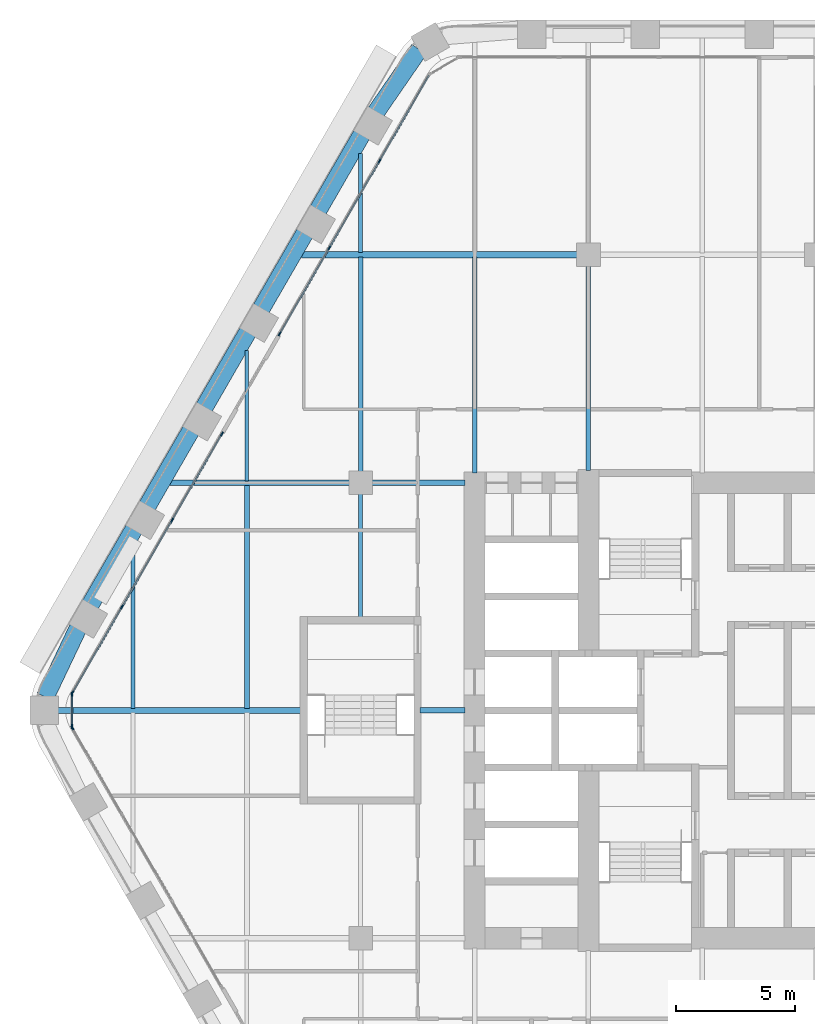
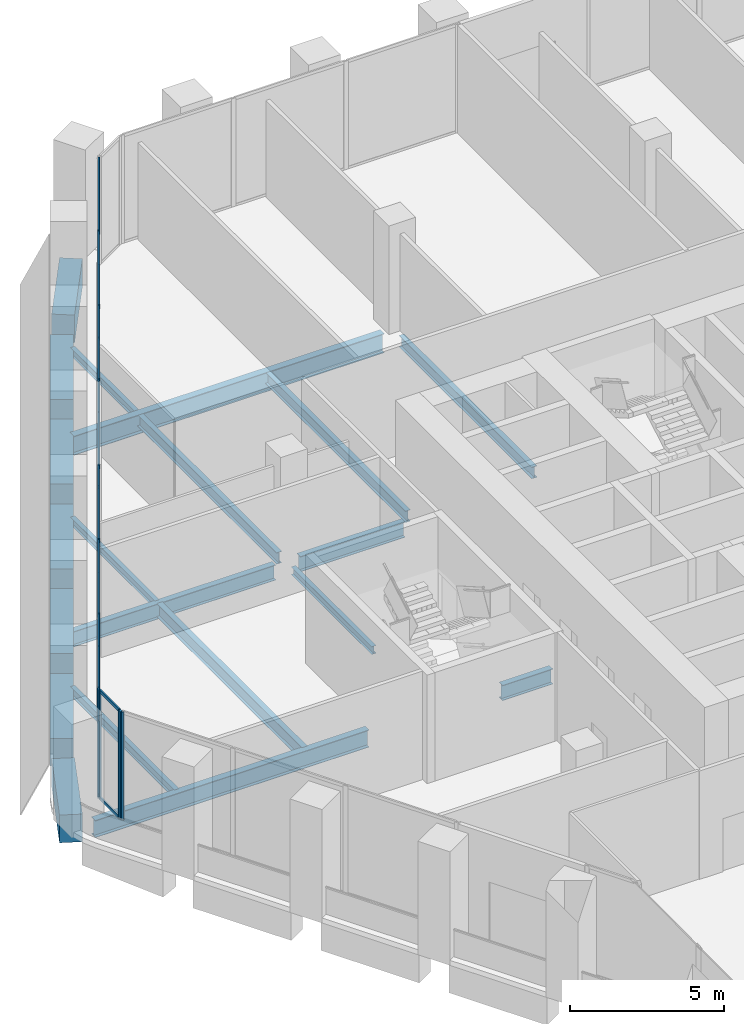
# One storey, part 7 of 25: 24 members, 20 beams, 4 elements without a shape of their own.
"""IFC4 building model written with IfcOpenShell, lengths in metres."""

from ifc_helpers import new_model, si_unit, direction, frame, origin, origin_2d, place, context, subcontext, project, spatial, rectangle, i_section, extrude, material, material_profile, profile_set, type_object, element, aggregate, save


model = new_model("IFC4")

# Units and contexts
model_context = context("Model", 3, precision=1e-05, world=origin(), true_north=direction((0.0, 1.0)))
body_context = subcontext(model_context, "Body", "Model", "MODEL_VIEW")
ifc_project = project(units=[si_unit("LENGTHUNIT", "METRE"), si_unit("AREAUNIT", "SQUARE_METRE"), si_unit("VOLUMEUNIT", "CUBIC_METRE"), si_unit("PLANEANGLEUNIT", "RADIAN"), si_unit("MASSUNIT", "GRAM", prefix="KILO")], contexts=[model_context])

# Site, building, storey
site_placement = place(None, origin())
site = spatial("IfcSite", under=ifc_project, at=site_placement, CompositionType="ELEMENT")
building_placement = place(site_placement, origin())
building = spatial("IfcBuilding", under=site, at=building_placement, Name="Kolab Exchange Tower", CompositionType="ELEMENT")
storey_placement = place(building_placement, frame((0.0, 0.0, 91.39990234375)))
storey = spatial("IfcBuildingStorey", under=building, at=storey_placement, Name="L17", CompositionType="ELEMENT", Elevation=91.39990234375)

# Beams
ifc_material_1 = material(Name="Steel S355", Category="steel")
ifc_material_profile_1 = material_profile(ifc_material_1, i_section(OverallWidth=0.1650390625, OverallDepth=0.31005859375, WebThickness=0.005859375, FlangeThickness=0.009765625, at=origin_2d()), Name="W310X39")
ifc_profile_set_1 = profile_set([ifc_material_profile_1], Name="Steel S355")
beam_type_1 = type_object("IfcBeamType", Name="FLOOR BEAM W310X39", PredefinedType="BEAM", material=ifc_profile_set_1)
beam_1_placement = place(storey_placement, frame((-24.0, 9.674072265625, -0.35498046875), z_axis=(0.0, 1.0, 0.0), x_axis=(-1.0, 0.0, 0.0)))
element("IfcBeam", 1, at=beam_1_placement, inside=storey, type_object=beam_type_1, Name="beam/L17/fr/005", PredefinedType="BEAM", context=body_context, shape_type="SweptSolid", body=[
    extrude(i_section(OverallWidth=0.1650390625, OverallDepth=0.31005859375, WebThickness=0.005859375, FlangeThickness=0.009765625, at=origin_2d()), origin(), (0.0, 0.0, 1.0), 5.49365234375),
])
beam_2_placement = place(storey_placement, frame((-19.199951171875, 3.909912109375, -0.35498046875), z_axis=(0.0, 1.0, 0.0), x_axis=(-1.0, 0.0, 0.0)))
element("IfcBeam", 2, at=beam_2_placement, inside=storey, type_object=beam_type_1, Name="beam/L17/fr/009", PredefinedType="BEAM", context=body_context, shape_type="SweptSolid", body=[
    extrude(i_section(OverallWidth=0.1650390625, OverallDepth=0.31005859375, WebThickness=0.005859375, FlangeThickness=0.009765625, at=origin_2d()), origin(), (0.0, 0.0, 1.0), 5.22998046875),
])
beam_3_placement = place(storey_placement, frame((-19.199951171875, 19.29345703125, -0.35498046875), z_axis=(0.0, 1.0, 0.0), x_axis=(-1.0, 0.0, 0.0)))
element("IfcBeam", 3, at=beam_3_placement, inside=storey, type_object=beam_type_1, Name="beam/L17/fr/011", PredefinedType="BEAM", context=body_context, shape_type="SweptSolid", body=[
    extrude(i_section(OverallWidth=0.1650390625, OverallDepth=0.31005859375, WebThickness=0.005859375, FlangeThickness=0.009765625, at=origin_2d()), origin(), (0.0, 0.0, 1.0), 4.18798828125),
])
ifc_material_profile_2 = material_profile(ifc_material_1, i_section(OverallWidth=0.1708984375, OverallDepth=0.35498046875, WebThickness=0.007080078125, FlangeThickness=0.01171875, at=origin_2d()), Name="W360X51")
ifc_profile_set_2 = profile_set([ifc_material_profile_2], Name="Steel S355")
beam_type_2 = type_object("IfcBeamType", Name="FLOOR BEAM W360X51", PredefinedType="BEAM", material=ifc_profile_set_2)
beam_4_placement = place(storey_placement, frame((-28.800048828125, 0.0869140625, -0.37744140625), z_axis=(0.0, 1.0, 0.0), x_axis=(-1.0, 0.0, 0.0)))
element("IfcBeam", 4, at=beam_4_placement, inside=storey, type_object=beam_type_2, Name="beam/L17/fr/001", PredefinedType="BEAM", context=body_context, shape_type="SweptSolid", body=[
    extrude(i_section(OverallWidth=0.1708984375, OverallDepth=0.35498046875, WebThickness=0.007080078125, FlangeThickness=0.01171875, at=origin_2d()), origin(), (0.0, 0.0, 1.0), 6.766845703125),
])
ifc_material_profile_3 = material_profile(ifc_material_1, i_section(OverallWidth=0.18994140625, OverallDepth=0.45703125, WebThickness=0.009033203125, FlangeThickness=0.014404296875, at=origin_2d()), Name="W460X74")
ifc_profile_set_3 = profile_set([ifc_material_profile_3], Name="Steel S355")
beam_type_3 = type_object("IfcBeamType", Name="FLOOR BEAM W460X74", PredefinedType="BEAM", material=ifc_profile_set_3)
beam_5_placement = place(storey_placement, frame((-19.199951171875, 10.06005859375, -0.428466796875), z_axis=(0.0, 1.0, 0.0), x_axis=(-1.0, 0.0, 0.0)))
element("IfcBeam", 5, at=beam_5_placement, inside=storey, type_object=beam_type_3, Name="beam/L17/fr/010", PredefinedType="BEAM", context=body_context, shape_type="SweptSolid", body=[
    extrude(i_section(OverallWidth=0.18994140625, OverallDepth=0.45703125, WebThickness=0.009033203125, FlangeThickness=0.014404296875, at=origin_2d()), origin(), (0.0, 0.0, 1.0), 9.04638671875),
])
beam_6_placement = place(storey_placement, frame((-14.39990234375, 10.010009765625, -0.428466796875), z_axis=(0.0, 1.0, 0.0), x_axis=(-1.0, 0.0, 0.0)))
element("IfcBeam", 6, at=beam_6_placement, inside=storey, type_object=beam_type_3, Name="beam/L17/fr/014", PredefinedType="BEAM", context=body_context, shape_type="SweptSolid", body=[
    extrude(i_section(OverallWidth=0.18994140625, OverallDepth=0.45703125, WebThickness=0.009033203125, FlangeThickness=0.014404296875, at=origin_2d()), origin(), (0.0, 0.0, 1.0), 9.096435546875),
])
beam_7_placement = place(storey_placement, frame((-9.60009765625, 10.110107421875, -0.428466796875), z_axis=(0.0, 1.0, 0.0), x_axis=(-1.0, 0.0, 0.0)))
element("IfcBeam", 7, at=beam_7_placement, inside=storey, type_object=beam_type_3, Name="beam/L17/fr/018", PredefinedType="BEAM", context=body_context, shape_type="SweptSolid", body=[
    extrude(i_section(OverallWidth=0.18994140625, OverallDepth=0.45703125, WebThickness=0.009033203125, FlangeThickness=0.014404296875, at=origin_2d()), origin(), (0.0, 0.0, 1.0), 8.6298828125),
])
ifc_material_profile_4 = material_profile(ifc_material_1, i_section(OverallWidth=0.208984375, OverallDepth=0.532958984375, WebThickness=0.01025390625, FlangeThickness=0.015625, at=origin_2d()), Name="W530X92")
ifc_profile_set_4 = profile_set([ifc_material_profile_4], Name="Steel S355")
beam_type_4 = type_object("IfcBeamType", Name="FLOOR BEAM W530X92", PredefinedType="BEAM", material=ifc_profile_set_4)
beam_8_placement = place(storey_placement, frame((-24.0, 0.0869140625, -0.46630859375), z_axis=(0.0, 1.0, 0.0), x_axis=(-1.0, 0.0, 0.0)))
element("IfcBeam", 8, at=beam_8_placement, inside=storey, type_object=beam_type_4, Name="beam/L17/fr/004", PredefinedType="BEAM", context=body_context, shape_type="SweptSolid", body=[
    extrude(i_section(OverallWidth=0.208984375, OverallDepth=0.532958984375, WebThickness=0.01025390625, FlangeThickness=0.015625, at=origin_2d()), origin(), (0.0, 0.0, 1.0), 9.43896484375),
])
ifc_material_profile_5 = material_profile(ifc_material_1, i_section(OverallWidth=0.22802734375, OverallDepth=0.60791015625, WebThickness=0.01123046875, FlangeThickness=0.017333984375, at=origin_2d()), Name="W610X113")
ifc_profile_set_5 = profile_set([ifc_material_profile_5], Name="Steel S355")
beam_type_5 = type_object("IfcBeamType", Name="FLOOR GIRDER W610X113", PredefinedType="BEAM", material=ifc_profile_set_5)
beam_9_placement = place(storey_placement, frame((-27.2314453125, 9.60009765625, -0.50390625), z_axis=(1.0, 0.0, 0.0), x_axis=(0.0, 1.0, 0.0)))
element("IfcBeam", 9, at=beam_9_placement, inside=storey, type_object=beam_type_5, Name="beam/L17/gd/002", PredefinedType="BEAM", context=body_context, shape_type="SweptSolid", body=[
    extrude(i_section(OverallWidth=0.22802734375, OverallDepth=0.60791015625, WebThickness=0.01123046875, FlangeThickness=0.017333984375, at=origin_2d()), origin(), (0.0, 0.0, 1.0), 7.571533203125),
])
beam_10_placement = place(storey_placement, frame((-18.739990234375, 9.60009765625, -0.50390625), z_axis=(1.0, 0.0, 0.0), x_axis=(0.0, 1.0, 0.0)))
element("IfcBeam", 10, at=beam_10_placement, inside=storey, type_object=beam_type_5, Name="beam/L17/gd/006", PredefinedType="BEAM", context=body_context, shape_type="SweptSolid", body=[
    extrude(i_section(OverallWidth=0.22802734375, OverallDepth=0.60791015625, WebThickness=0.01123046875, FlangeThickness=0.017333984375, at=origin_2d()), origin(), (0.0, 0.0, 1.0), 3.929931640625),
])
beam_11_placement = place(storey_placement, frame((-16.68994140625, 0.0, -0.50390625), z_axis=(1.0, 0.0, 0.0), x_axis=(0.0, 1.0, 0.0)))
element("IfcBeam", 11, at=beam_11_placement, inside=storey, type_object=beam_type_5, Name="beam/L17/gd/007", PredefinedType="BEAM", context=body_context, shape_type="SweptSolid", body=[
    extrude(i_section(OverallWidth=0.22802734375, OverallDepth=0.60791015625, WebThickness=0.01123046875, FlangeThickness=0.017333984375, at=origin_2d()), origin(), (0.0, 0.0, 1.0), 1.8798828125),
])
ifc_material_profile_6 = material_profile(ifc_material_1, i_section(OverallWidth=0.25390625, OverallDepth=0.68408203125, WebThickness=0.012451171875, FlangeThickness=0.018798828125, at=origin_2d()), Name="W690X140")
ifc_profile_set_6 = profile_set([ifc_material_profile_6], Name="Steel S355")
beam_type_6 = type_object("IfcBeamType", Name="FLOOR GIRDER W690X140", PredefinedType="BEAM", material=ifc_profile_set_6)
beam_12_placement = place(storey_placement, frame((-31.975830078125, 0.0, -0.5419921875), z_axis=(1.0, 0.0, 0.0), x_axis=(0.0, 1.0, 0.0)))
element("IfcBeam", 12, at=beam_12_placement, inside=storey, type_object=beam_type_6, Name="beam/L17/gd/000", PredefinedType="BEAM", context=body_context, shape_type="SweptSolid", body=[
    extrude(i_section(OverallWidth=0.25390625, OverallDepth=0.68408203125, WebThickness=0.012451171875, FlangeThickness=0.018798828125, at=origin_2d()), origin(), (0.0, 0.0, 1.0), 10.265869140625),
])
ifc_material_profile_7 = material_profile(ifc_material_1, i_section(OverallWidth=0.26708984375, OverallDepth=0.761962890625, WebThickness=0.014404296875, FlangeThickness=0.021484375, at=origin_2d()), Name="W760X173")
ifc_profile_set_7 = profile_set([ifc_material_profile_7], Name="Steel S355")
beam_type_7 = type_object("IfcBeamType", Name="FLOOR GIRDER W760X173", PredefinedType="BEAM", material=ifc_profile_set_7)
beam_13_placement = place(storey_placement, frame((-21.688720703125, 19.199951171875, -0.580810546875), z_axis=(1.0, 0.0, 0.0), x_axis=(0.0, 1.0, 0.0)))
element("IfcBeam", 13, at=beam_13_placement, inside=storey, type_object=beam_type_7, Name="beam/L17/gd/004", PredefinedType="BEAM", context=body_context, shape_type="SweptSolid", body=[
    extrude(i_section(OverallWidth=0.26708984375, OverallDepth=0.761962890625, WebThickness=0.014404296875, FlangeThickness=0.021484375, at=origin_2d()), origin(), (0.0, 0.0, 1.0), 11.628662109375),
])
ifc_material_2 = material(Name="Concrete C70/85", Category="concrete")
ifc_material_profile_8 = material_profile(ifc_material_2, rectangle(XDim=0.75, YDim=1.10009765625, at=origin_2d()), Name="RC750X1100")
ifc_profile_set_8 = profile_set([ifc_material_profile_8], Name="Concrete C70/85")
beam_type_8 = type_object("IfcBeamType", Name="SPANDREL BEAM 750X1100 C70/85", PredefinedType="BEAM", material=ifc_profile_set_8)
beam_14_placement = place(storey_placement, frame((-32.492919921875, 0.56396484375, -0.75), z_axis=(0.429041292193, 0.903284877319, 0.0), x_axis=(-0.903284877319, 0.429041292193, 0.0)))
element("IfcBeam", 14, at=beam_14_placement, inside=storey, type_object=beam_type_8, Name="beam/L17/sp/F6-01", PredefinedType="BEAM", context=body_context, shape_type="SweptSolid", body=[
    extrude(rectangle(XDim=0.75, YDim=1.10009765625, at=origin_2d()), origin(), (0.0, 0.0, 1.0), 3.208251953125),
])
for number, where, z_axis, x_axis, name in (
    (15, (-30.59521484375, 4.454345703125, -0.75), (0.500013413428, 0.866017659399, 0.0), (-0.866017659399, 0.500013413428, 0.0), "beam/L17/sp/F6-02"),
    (16, (-28.1953125, 8.611328125, -0.75), (0.500013413428, 0.866017659399, 0.0), (-0.866017659399, 0.500013413428, 0.0), "beam/L17/sp/F6-03"),
):
    element("IfcBeam", number, at=place(storey_placement, frame(where, z_axis=z_axis, x_axis=x_axis)), inside=storey, type_object=beam_type_8, Name=name, PredefinedType="BEAM", context=body_context, shape_type="SweptSolid", body=[
        extrude(rectangle(XDim=0.75, YDim=1.10009765625, at=origin_2d()), origin(), (0.0, 0.0, 1.0), 3.68017578125),
    ])
beam_15_placement = place(storey_placement, frame((-25.795166015625, 12.768310546875, -0.75), z_axis=(0.499963655964, 0.866046386007, 0.0), x_axis=(-0.866046386007, 0.499963655964, 0.0)))
element("IfcBeam", 17, at=beam_15_placement, inside=storey, type_object=beam_type_8, Name="beam/L17/sp/F6-04", PredefinedType="BEAM", context=body_context, shape_type="SweptSolid", body=[
    extrude(rectangle(XDim=0.75, YDim=1.10009765625, at=origin_2d()), origin(), (0.0, 0.0, 1.0), 3.679931640625),
])
for number, where, z_axis, x_axis, name in (
    (18, (-23.395263671875, 16.925048828125, -0.75), (0.500013413428, 0.866017659399, 0.0), (-0.866017659399, 0.500013413428, 0.0), "beam/L17/sp/F6-05"),
    (19, (-20.995361328125, 21.08203125, -0.75), (0.500013413428, 0.866017659399, 0.0), (-0.866017659399, 0.500013413428, 0.0), "beam/L17/sp/F6-06"),
):
    element("IfcBeam", number, at=place(storey_placement, frame(where, z_axis=z_axis, x_axis=x_axis)), inside=storey, type_object=beam_type_8, Name=name, PredefinedType="BEAM", context=body_context, shape_type="SweptSolid", body=[
        extrude(rectangle(XDim=0.75, YDim=1.10009765625, at=origin_2d()), origin(), (0.0, 0.0, 1.0), 3.68017578125),
    ])
beam_16_placement = place(storey_placement, frame((-18.55615234375, 25.216552734375, -0.75), z_axis=(0.567661826262, 0.823261836237, 0.0), x_axis=(-0.823261836237, 0.567661826262, 0.0)))
element("IfcBeam", 20, at=beam_16_placement, inside=storey, type_object=beam_type_8, Name="beam/L17/sp/F6-07", PredefinedType="BEAM", context=body_context, shape_type="SweptSolid", body=[
    extrude(rectangle(XDim=0.75, YDim=1.10009765625, at=origin_2d()), origin(), (0.0, 0.0, 1.0), 3.20849609375),
])

# Curtain wall, member
ifc_material_3 = material(Name="Aluminium EN AW-6063 T6", Category="aluminium")
curtain_wall_type = type_object("IfcCurtainWallType", Name="UNITISED LOWER MID ZONE CURTAIN WALL", PredefinedType="NOTDEFINED", material=ifc_material_3)
curtain_wall_1_placement = place(storey_placement, origin())
curtain_wall_1 = element("IfcCurtainWall", 21, at=curtain_wall_1_placement, inside=storey, type_object=curtain_wall_type, Name="cw/L17/F5-2", PredefinedType="NOTDEFINED")
ifc_material_profile_9 = material_profile(ifc_material_3, rectangle(XDim=0.06005859375, YDim=0.179931640625, at=origin_2d()), Name="RECT 60X180")
ifc_profile_set_9 = profile_set([ifc_material_profile_9], Name="Aluminium EN AW-6063 T6")
member_type_1 = type_object("IfcMemberType", Name="UNITISED LOWER MID ZONE MULLION 60 X 180", PredefinedType="MULLION", material=ifc_profile_set_9)
member_1_placement = place(storey_placement, frame((-31.3505859375, -0.736083984375, 0.0), z_axis=(0.0, 0.0, 1.0), x_axis=(-0.866025427826, -0.499999958358, 0.0)))
member_1 = element("IfcMember", 22, at=member_1_placement, type_object=member_type_1, Name="CW2 mullion 4", PredefinedType="MULLION", context=body_context, shape_type="SweptSolid", body=[
    extrude(rectangle(XDim=0.06005859375, YDim=0.179931640625, at=origin_2d()), origin(), (0.0, 0.0, 1.0), 4.300048828125),
])
aggregate(curtain_wall_1, [member_1])

# Curtain wall, members
curtain_wall_2_placement = place(storey_placement, origin())
curtain_wall_2 = element("IfcCurtainWall", 23, at=curtain_wall_2_placement, inside=storey, type_object=curtain_wall_type, Name="cw/L17/F6-1", PredefinedType="NOTDEFINED")
member_2_placement = place(storey_placement, frame((-31.3505859375, 0.736083984375, 0.0), z_axis=(0.0, 0.0, 1.0), x_axis=(-0.866025427826, 0.499999958358, 0.0)))
member_2 = element("IfcMember", 24, at=member_2_placement, type_object=member_type_1, Name="CW2 mullion 1", PredefinedType="MULLION", context=body_context, shape_type="SweptSolid", body=[
    extrude(rectangle(XDim=0.06005859375, YDim=0.179931640625, at=origin_2d()), origin(), (0.0, 0.0, 1.0), 4.300048828125),
])
member_3_placement = place(storey_placement, frame((-29.25439453125, 4.366943359375, 0.0), z_axis=(0.0, 0.0, 1.0), x_axis=(-0.866025427826, 0.499999958358, 0.0)))
member_3 = element("IfcMember", 25, at=member_3_placement, type_object=member_type_1, Name="CW2 mullion 2", PredefinedType="MULLION", context=body_context, shape_type="SweptSolid", body=[
    extrude(rectangle(XDim=0.06005859375, YDim=0.179931640625, at=origin_2d()), origin(), (0.0, 0.0, 1.0), 4.300048828125),
])
member_4_placement = place(storey_placement, frame((-27.14306640625, 8.02392578125, 0.0), z_axis=(0.0, 0.0, 1.0), x_axis=(-0.866025427826, 0.499999958358, 0.0)))
member_4 = element("IfcMember", 26, at=member_4_placement, type_object=member_type_1, Name="CW2 mullion 3", PredefinedType="MULLION", context=body_context, shape_type="SweptSolid", body=[
    extrude(rectangle(XDim=0.06005859375, YDim=0.179931640625, at=origin_2d()), origin(), (0.0, 0.0, 1.0), 4.300048828125),
])
member_5_placement = place(storey_placement, frame((-25.046630859375, 11.65478515625, 0.0), z_axis=(0.0, 0.0, 1.0), x_axis=(-0.866025427826, 0.499999958358, 0.0)))
member_5 = element("IfcMember", 27, at=member_5_placement, type_object=member_type_1, Name="CW2 mullion 4", PredefinedType="MULLION", context=body_context, shape_type="SweptSolid", body=[
    extrude(rectangle(XDim=0.06005859375, YDim=0.179931640625, at=origin_2d()), origin(), (0.0, 0.0, 1.0), 4.300048828125),
])

curtain_wall_3_placement = place(storey_placement, origin())
curtain_wall_3 = element("IfcCurtainWall", 28, at=curtain_wall_3_placement, inside=storey, type_object=curtain_wall_type, Name="cw/L17/F6-2", PredefinedType="NOTDEFINED")
member_6_placement = place(storey_placement, frame((-22.61669921875, 15.86376953125, 0.0), z_axis=(0.0, 0.0, 1.0), x_axis=(-0.866025393644, 0.500000017564, 0.0)))
member_6 = element("IfcMember", 29, at=member_6_placement, type_object=member_type_1, Name="CW2 mullion 1", PredefinedType="MULLION", context=body_context, shape_type="SweptSolid", body=[
    extrude(rectangle(XDim=0.06005859375, YDim=0.179931640625, at=origin_2d()), origin(), (0.0, 0.0, 1.0), 4.300048828125),
])
member_7_placement = place(storey_placement, frame((-20.520263671875, 19.49462890625, 0.0), z_axis=(0.0, 0.0, 1.0), x_axis=(-0.866025393644, 0.500000017564, 0.0)))
member_7 = element("IfcMember", 30, at=member_7_placement, type_object=member_type_1, Name="CW2 mullion 2", PredefinedType="MULLION", context=body_context, shape_type="SweptSolid", body=[
    extrude(rectangle(XDim=0.06005859375, YDim=0.179931640625, at=origin_2d()), origin(), (0.0, 0.0, 1.0), 4.300048828125),
])
member_8_placement = place(storey_placement, frame((-18.408935546875, 23.151611328125, 0.0), z_axis=(0.0, 0.0, 1.0), x_axis=(-0.866025393644, 0.500000017564, 0.0)))
member_8 = element("IfcMember", 31, at=member_8_placement, type_object=member_type_1, Name="CW2 mullion 3", PredefinedType="MULLION", context=body_context, shape_type="SweptSolid", body=[
    extrude(rectangle(XDim=0.06005859375, YDim=0.179931640625, at=origin_2d()), origin(), (0.0, 0.0, 1.0), 4.300048828125),
])

curtain_wall_4_placement = place(storey_placement, origin())
curtain_wall_4 = element("IfcCurtainWall", 32, at=curtain_wall_4_placement, inside=storey, type_object=curtain_wall_type, Name="cw/L17/F5F6-corner", PredefinedType="NOTDEFINED")
member_9_placement = place(storey_placement, frame((-31.36572265625, -0.679931640625, 0.0), z_axis=(0.0, 0.0, 1.0), x_axis=(-1.0, 0.0, 0.0)))
member_9 = element("IfcMember", 33, at=member_9_placement, type_object=member_type_1, Name="CW2 mullion 1", PredefinedType="MULLION", context=body_context, shape_type="SweptSolid", body=[
    extrude(rectangle(XDim=0.06005859375, YDim=0.179931640625, at=origin_2d()), origin(), (0.0, 0.0, 1.0), 4.300048828125),
])
member_10_placement = place(storey_placement, frame((-31.36572265625, 0.679931640625, 0.0), z_axis=(0.0, 0.0, 1.0), x_axis=(-1.0, 0.0, 0.0)))
member_10 = element("IfcMember", 34, at=member_10_placement, type_object=member_type_1, Name="CW2 mullion 2", PredefinedType="MULLION", context=body_context, shape_type="SweptSolid", body=[
    extrude(rectangle(XDim=0.06005859375, YDim=0.179931640625, at=origin_2d()), origin(), (0.0, 0.0, 1.0), 4.300048828125),
])

# Member
ifc_material_profile_10 = material_profile(ifc_material_3, rectangle(XDim=0.06005859375, YDim=0.1201171875, at=origin_2d()), Name="RECT 60X120")
ifc_profile_set_10 = profile_set([ifc_material_profile_10], Name="Aluminium EN AW-6063 T6")
member_type_2 = type_object("IfcMemberType", Name="UNITISED LOWER MID ZONE TRANSOM 60 X 120", PredefinedType="USERDEFINED", material=ifc_profile_set_10)
member_11_placement = place(storey_placement, frame((-31.335693359375, 0.761962890625, 0.030029296875), z_axis=(0.500027577057, 0.866009481578, 0.0), x_axis=(-0.866009481578, 0.500027577057, 0.0)))
member_11 = element("IfcMember", 35, at=member_11_placement, type_object=member_type_2, Name="CW2 transom 1.1", ObjectType="TRANSOM", PredefinedType="USERDEFINED", context=body_context, shape_type="SweptSolid", body=[
    extrude(rectangle(XDim=0.06005859375, YDim=0.1201171875, at=origin_2d()), origin(), (0.0, 0.0, 1.0), 4.132568359375),
])

member_12_placement = place(storey_placement, frame((-31.335693359375, 0.761962890625, 4.27001953125), z_axis=(0.500027577057, 0.866009481578, 0.0), x_axis=(-0.866009481578, 0.500027577057, 0.0)))
member_12 = element("IfcMember", 36, at=member_12_placement, type_object=member_type_2, Name="CW2 transom 1.2", ObjectType="TRANSOM", PredefinedType="USERDEFINED", context=body_context, shape_type="SweptSolid", body=[
    extrude(rectangle(XDim=0.06005859375, YDim=0.1201171875, at=origin_2d()), origin(), (0.0, 0.0, 1.0), 4.132568359375),
])

member_13_placement = place(storey_placement, frame((-29.2392578125, 4.392822265625, 0.030029296875), z_axis=(0.49999322259, 0.866029316688, 0.0), x_axis=(-0.866029316688, 0.49999322259, 0.0)))
member_13 = element("IfcMember", 37, at=member_13_placement, type_object=member_type_2, Name="CW2 transom 2.1", ObjectType="TRANSOM", PredefinedType="USERDEFINED", context=body_context, shape_type="SweptSolid", body=[
    extrude(rectangle(XDim=0.06005859375, YDim=0.1201171875, at=origin_2d()), origin(), (0.0, 0.0, 1.0), 4.16259765625),
])

member_14_placement = place(storey_placement, frame((-29.2392578125, 4.392822265625, 4.27001953125), z_axis=(0.49999322259, 0.866029316688, 0.0), x_axis=(-0.866029316688, 0.49999322259, 0.0)))
member_14 = element("IfcMember", 38, at=member_14_placement, type_object=member_type_2, Name="CW2 transom 2.2", ObjectType="TRANSOM", PredefinedType="USERDEFINED", context=body_context, shape_type="SweptSolid", body=[
    extrude(rectangle(XDim=0.06005859375, YDim=0.1201171875, at=origin_2d()), origin(), (0.0, 0.0, 1.0), 4.16259765625),
])

member_15_placement = place(storey_placement, frame((-27.1279296875, 8.0498046875, 0.030029296875), z_axis=(0.499957688808, 0.866049830784, 0.0), x_axis=(-0.866049830784, 0.499957688808, 0.0)))
member_15 = element("IfcMember", 39, at=member_15_placement, type_object=member_type_2, Name="CW2 transom 3.1", ObjectType="TRANSOM", PredefinedType="USERDEFINED", context=body_context, shape_type="SweptSolid", body=[
    extrude(rectangle(XDim=0.06005859375, YDim=0.1201171875, at=origin_2d()), origin(), (0.0, 0.0, 1.0), 4.132568359375),
])

member_16_placement = place(storey_placement, frame((-27.1279296875, 8.0498046875, 4.27001953125), z_axis=(0.499957688808, 0.866049830784, 0.0), x_axis=(-0.866049830784, 0.499957688808, 0.0)))
member_16 = element("IfcMember", 40, at=member_16_placement, type_object=member_type_2, Name="CW2 transom 3.2", ObjectType="TRANSOM", PredefinedType="USERDEFINED", context=body_context, shape_type="SweptSolid", body=[
    extrude(rectangle(XDim=0.06005859375, YDim=0.1201171875, at=origin_2d()), origin(), (0.0, 0.0, 1.0), 4.132568359375),
])

aggregate(curtain_wall_2, [member_2, member_3, member_4, member_5, member_11, member_12, member_13, member_14, member_15, member_16])

member_17_placement = place(storey_placement, frame((-22.6015625, 15.8896484375, 0.030029296875), z_axis=(0.499957688808, 0.866049830784, 0.0), x_axis=(-0.866049830784, 0.499957688808, 0.0)))
member_17 = element("IfcMember", 41, at=member_17_placement, type_object=member_type_2, Name="CW2 transom 1.1", ObjectType="TRANSOM", PredefinedType="USERDEFINED", context=body_context, shape_type="SweptSolid", body=[
    extrude(rectangle(XDim=0.06005859375, YDim=0.1201171875, at=origin_2d()), origin(), (0.0, 0.0, 1.0), 4.132568359375),
])

member_18_placement = place(storey_placement, frame((-22.6015625, 15.8896484375, 4.27001953125), z_axis=(0.499957688808, 0.866049830784, 0.0), x_axis=(-0.866049830784, 0.499957688808, 0.0)))
member_18 = element("IfcMember", 42, at=member_18_placement, type_object=member_type_2, Name="CW2 transom 1.2", ObjectType="TRANSOM", PredefinedType="USERDEFINED", context=body_context, shape_type="SweptSolid", body=[
    extrude(rectangle(XDim=0.06005859375, YDim=0.1201171875, at=origin_2d()), origin(), (0.0, 0.0, 1.0), 4.132568359375),
])

member_19_placement = place(storey_placement, frame((-20.50537109375, 19.5205078125, 0.030029296875), z_axis=(0.49999322259, 0.866029316688, 0.0), x_axis=(-0.866029316688, 0.49999322259, 0.0)))
member_19 = element("IfcMember", 43, at=member_19_placement, type_object=member_type_2, Name="CW2 transom 2.1", ObjectType="TRANSOM", PredefinedType="USERDEFINED", context=body_context, shape_type="SweptSolid", body=[
    extrude(rectangle(XDim=0.06005859375, YDim=0.1201171875, at=origin_2d()), origin(), (0.0, 0.0, 1.0), 4.16259765625),
])

member_20_placement = place(storey_placement, frame((-20.50537109375, 19.5205078125, 4.27001953125), z_axis=(0.49999322259, 0.866029316688, 0.0), x_axis=(-0.866029316688, 0.49999322259, 0.0)))
member_20 = element("IfcMember", 44, at=member_20_placement, type_object=member_type_2, Name="CW2 transom 2.2", ObjectType="TRANSOM", PredefinedType="USERDEFINED", context=body_context, shape_type="SweptSolid", body=[
    extrude(rectangle(XDim=0.06005859375, YDim=0.1201171875, at=origin_2d()), origin(), (0.0, 0.0, 1.0), 4.16259765625),
])

member_21_placement = place(storey_placement, frame((-18.39404296875, 23.177490234375, 0.030029296875), z_axis=(0.500001996123, 0.866024251319, 0.0), x_axis=(-0.866024251319, 0.500001996123, 0.0)))
member_21 = element("IfcMember", 45, at=member_21_placement, type_object=member_type_2, Name="CW2 transom 3.1", ObjectType="TRANSOM", PredefinedType="USERDEFINED", context=body_context, shape_type="SweptSolid", body=[
    extrude(rectangle(XDim=0.06005859375, YDim=0.1201171875, at=origin_2d()), origin(), (0.0, 0.0, 1.0), 4.1328125),
])

member_22_placement = place(storey_placement, frame((-18.39404296875, 23.177490234375, 4.27001953125), z_axis=(0.500001996123, 0.866024251319, 0.0), x_axis=(-0.866024251319, 0.500001996123, 0.0)))
member_22 = element("IfcMember", 46, at=member_22_placement, type_object=member_type_2, Name="CW2 transom 3.2", ObjectType="TRANSOM", PredefinedType="USERDEFINED", context=body_context, shape_type="SweptSolid", body=[
    extrude(rectangle(XDim=0.06005859375, YDim=0.1201171875, at=origin_2d()), origin(), (0.0, 0.0, 1.0), 4.1328125),
])

aggregate(curtain_wall_3, [member_6, member_7, member_8, member_17, member_18, member_19, member_20, member_21, member_22])

member_23_placement = place(storey_placement, frame((-31.36572265625, -0.64990234375, 0.030029296875), z_axis=(0.0, 1.0, 0.0), x_axis=(-1.0, 0.0, 0.0)))
member_23 = element("IfcMember", 47, at=member_23_placement, type_object=member_type_2, Name="CW2 transom 1.1", ObjectType="TRANSOM", PredefinedType="USERDEFINED", context=body_context, shape_type="SweptSolid", body=[
    extrude(rectangle(XDim=0.06005859375, YDim=0.1201171875, at=origin_2d()), origin(), (0.0, 0.0, 1.0), 1.2998046875),
])

member_24_placement = place(storey_placement, frame((-31.36572265625, -0.64990234375, 4.27001953125), z_axis=(0.0, 1.0, 0.0), x_axis=(-1.0, 0.0, 0.0)))
member_24 = element("IfcMember", 48, at=member_24_placement, type_object=member_type_2, Name="CW2 transom 1.2", ObjectType="TRANSOM", PredefinedType="USERDEFINED", context=body_context, shape_type="SweptSolid", body=[
    extrude(rectangle(XDim=0.06005859375, YDim=0.1201171875, at=origin_2d()), origin(), (0.0, 0.0, 1.0), 1.2998046875),
])

aggregate(curtain_wall_4, [member_9, member_10, member_23, member_24])

save(model, "model.ifc")
